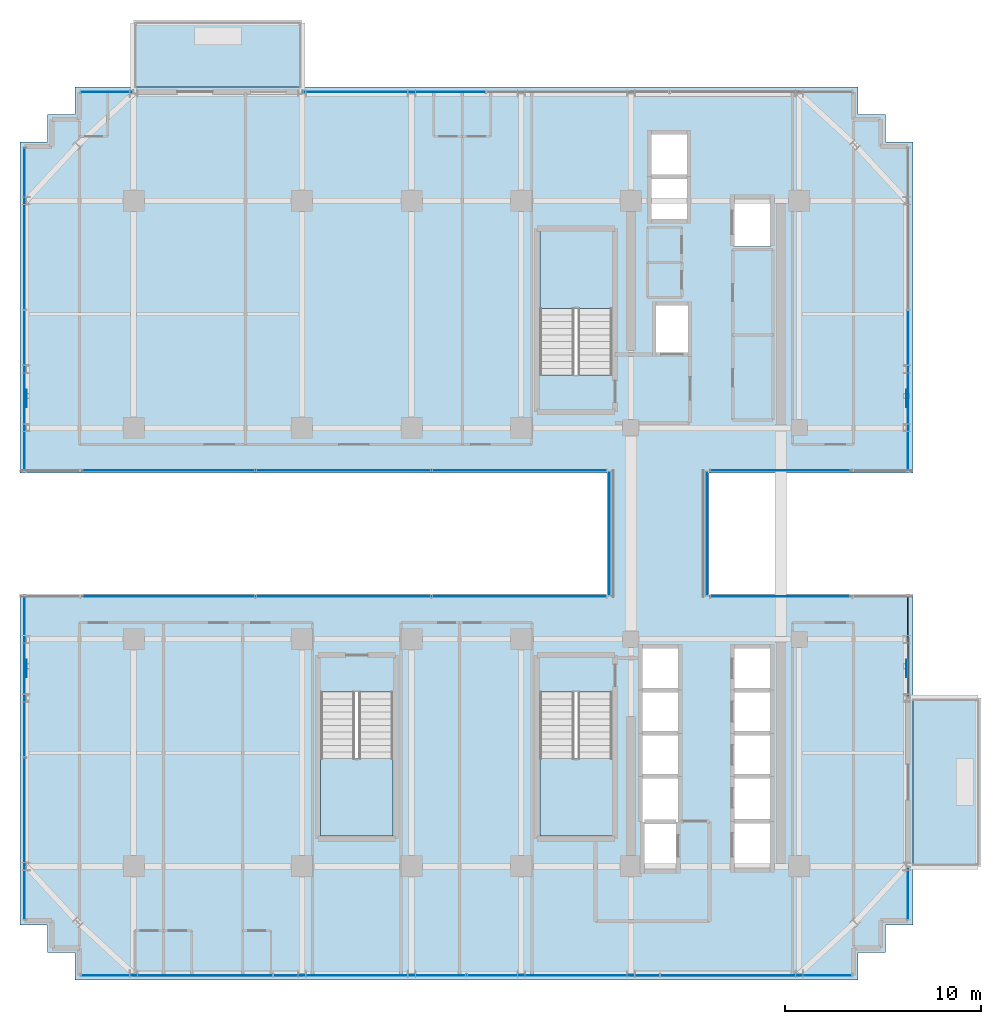
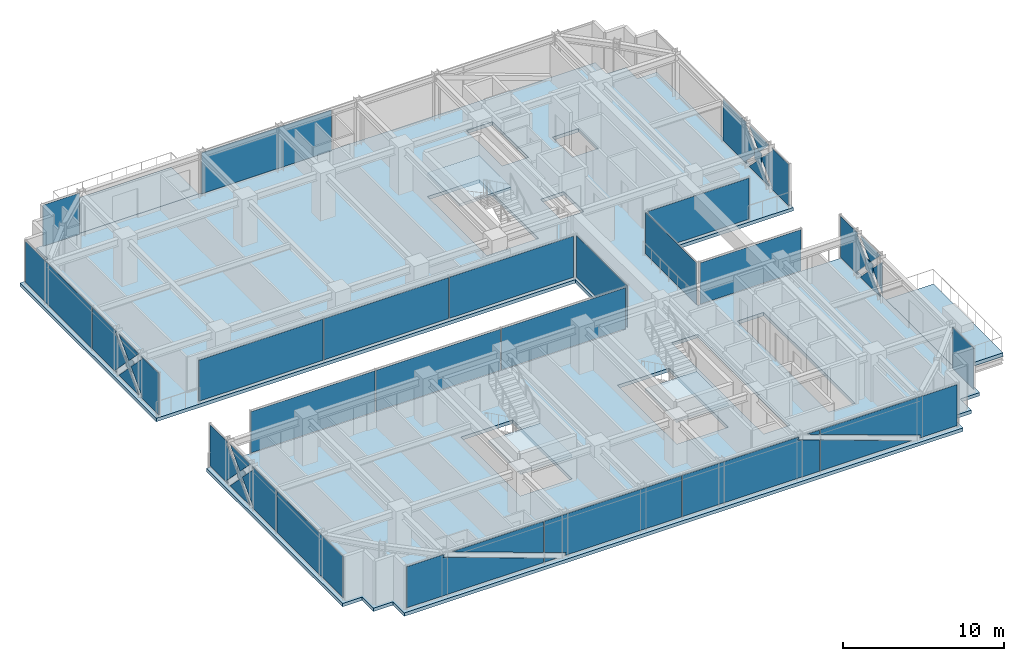
# One storey, part 28 of 36: 27 plates, 6 slabs, 17 elements without a shape of their own.
"""IFC4 building model written with IfcOpenShell, lengths in metres."""

from ifc_helpers import new_model, si_unit, direction, frame, origin, origin_2d, place, context, subcontext, project, spatial, polyline, rectangle, outline, extrude, source, transform, mapped, material, layer, layer_set, type_object, element, aggregate, save


model = new_model("IFC4")

# Units and contexts
model_context = context("Model", 3, precision=1e-05, world=origin(), true_north=direction((0.0, 1.0)))
body_context = subcontext(model_context, "Body", "Model", "MODEL_VIEW")
ifc_project = project(units=[si_unit("LENGTHUNIT", "METRE"), si_unit("AREAUNIT", "SQUARE_METRE"), si_unit("VOLUMEUNIT", "CUBIC_METRE"), si_unit("PLANEANGLEUNIT", "RADIAN"), si_unit("MASSUNIT", "GRAM", prefix="KILO")], contexts=[model_context])

# Site, building, storey
site_placement = place(None, origin())
site = spatial("IfcSite", under=ifc_project, at=site_placement, CompositionType="ELEMENT")
building_placement = place(site_placement, origin())
building = spatial("IfcBuilding", under=site, at=building_placement, Name="Nahalor Promenade Grand Hotel", CompositionType="ELEMENT")
storey_placement = place(building_placement, frame((0.0, 0.0, 174.550048828125)))
storey = spatial("IfcBuildingStorey", under=building, at=storey_placement, Name="L44", CompositionType="ELEMENT", Elevation=174.550048828125)

# Curtain wall, plates
ifc_material_1 = material(Name="Anodised Bronze Aluminium EN AW-6063 T6", Category="aluminium")
curtain_wall_type_1 = type_object("IfcCurtainWallType", Name="CW3 Elliptical-Void Collar Unitised Curtain Wall", PredefinedType="USERDEFINED", material=ifc_material_1)
curtain_wall_1_placement = place(storey_placement, origin())
curtain_wall_1 = element("IfcCurtainWall", 1, at=curtain_wall_1_placement, inside=storey, type_object=curtain_wall_type_1, Name="L44 Curtain Wall CW-L44-S-1", ObjectType="UNITISED_CURTAIN_WALL", PredefinedType="USERDEFINED")
ifc_material_2 = material(Name="Low-E Laminated Solar Glass", Category="glass")
ifc_layer_1 = layer(ifc_material_2, 0.030029296875)
ifc_layer_set_1 = layer_set([ifc_layer_1], Name="Low-E Laminated Solar Glass")
plate_type_1 = type_object("IfcPlateType", Name="CWP3 High-Wind Laminated Bronze IGU 30mm", PredefinedType="CURTAIN_PANEL", material=ifc_layer_set_1)
plate_1_placement = place(storey_placement, frame((-14.802490234375, -22.56005859375, 0.14013671875), z_axis=(0.0, 0.0, 1.0), x_axis=(1.0, 0.0, 0.0)))
plate_1 = element("IfcPlate", 2, at=plate_1_placement, type_object=plate_type_1, Name="CW-L44-S-1 Glazing Panel 0-0", PredefinedType="CURTAIN_PANEL", context=body_context, shape_type="SweptSolid", body=[
    extrude(outline(polyline([(-4.887451171875, 0.0), (4.887451171875, 0.0), (4.887451171875, 0.341796875), (-2.28857421875, 2.920166015625), (-2.220458984375, 3.110107421875), (-4.887451171875, 3.110107421875), (-4.887451171875, 0.0)])), frame((0.0, 0.01513671875, 0.0), z_axis=(0.0, -1.0, 0.0), x_axis=(1.0, 0.0, 0.0)), (0.0, 0.0, 1.0), 0.030029296875),
    extrude(outline(polyline([(4.887451171875, 0.766845703125), (4.887451171875, 3.110107421875), (-1.6337890625, 3.110107421875), (4.887451171875, 0.766845703125)])), frame((0.0, 0.01513671875, 0.0), z_axis=(0.0, -1.0, 0.0), x_axis=(1.0, 0.0, 0.0)), (0.0, 0.0, 1.0), 0.030029296875),
])
plate_2_placement = place(storey_placement, frame((-4.93994140625, -22.56005859375, 0.14013671875), z_axis=(0.0, 0.0, 1.0), x_axis=(1.0, 0.0, 0.0)))
plate_2 = element("IfcPlate", 3, at=plate_2_placement, type_object=plate_type_1, Name="CW-L44-S-1 Glazing Panel 1-0", PredefinedType="CURTAIN_PANEL", context=body_context, shape_type="SweptSolid", body=[
    extrude(outline(polyline([(4.905029296875, 3.110107421875), (-4.905029296875, 3.110107421875), (-4.905029296875, 0.74169921875), (-3.368896484375, 0.189697265625), (-3.43701171875, 0.0), (4.905029296875, 0.0), (4.905029296875, 3.110107421875)])), frame((0.0, 0.01513671875, 0.0), z_axis=(0.0, -1.0, 0.0), x_axis=(1.0, 0.0, 0.0)), (0.0, 0.0, 1.0), 0.030029296875),
    extrude(outline(polyline([(-4.905029296875, 0.316650390625), (-4.905029296875, 0.0), (-4.023681640625, 0.0), (-4.905029296875, 0.316650390625)])), frame((0.0, 0.01513671875, 0.0), z_axis=(0.0, -1.0, 0.0), x_axis=(1.0, 0.0, 0.0)), (0.0, 0.0, 1.0), 0.030029296875),
])
plate_3_placement = place(storey_placement, frame((4.93994140625, -22.56005859375, 0.14013671875), z_axis=(0.0, 0.0, 1.0), x_axis=(1.0, 0.0, 0.0)))
plate_3 = element("IfcPlate", 4, at=plate_3_placement, type_object=plate_type_1, Name="CW-L44-S-1 Glazing Panel 2-0", PredefinedType="CURTAIN_PANEL", context=body_context, shape_type="SweptSolid", body=[
    extrude(outline(polyline([(-4.905029296875, 0.0), (4.905029296875, 0.0), (4.905029296875, 2.368408203125), (3.368896484375, 2.920166015625), (3.43701171875, 3.110107421875), (-4.905029296875, 3.110107421875), (-4.905029296875, 0.0)])), frame((0.0, 0.01513671875, 0.0), z_axis=(0.0, -1.0, 0.0), x_axis=(1.0, 0.0, 0.0)), (0.0, 0.0, 1.0), 0.030029296875),
    extrude(outline(polyline([(4.905029296875, 2.793212890625), (4.905029296875, 3.110107421875), (4.023681640625, 3.110107421875), (4.905029296875, 2.793212890625)])), frame((0.0, 0.01513671875, 0.0), z_axis=(0.0, -1.0, 0.0), x_axis=(1.0, 0.0, 0.0)), (0.0, 0.0, 1.0), 0.030029296875),
])
plate_4_placement = place(storey_placement, frame((14.802490234375, -22.56005859375, 0.14013671875), z_axis=(0.0, 0.0, 1.0), x_axis=(1.0, 0.0, 0.0)))
plate_4 = element("IfcPlate", 5, at=plate_4_placement, type_object=plate_type_1, Name="CW-L44-S-1 Glazing Panel 3-0", PredefinedType="CURTAIN_PANEL", context=body_context, shape_type="SweptSolid", body=[
    extrude(outline(polyline([(4.887451171875, 3.110107421875), (-4.887451171875, 3.110107421875), (-4.887451171875, 2.76806640625), (2.28857421875, 0.189697265625), (2.220458984375, 0.0), (4.887451171875, 0.0), (4.887451171875, 3.110107421875)])), frame((0.0, 0.01513671875, 0.0), z_axis=(0.0, -1.0, 0.0), x_axis=(1.0, 0.0, 0.0)), (0.0, 0.0, 1.0), 0.030029296875),
    extrude(outline(polyline([(-4.887451171875, 2.343017578125), (-4.887451171875, 0.0), (1.6337890625, 0.0), (-4.887451171875, 2.343017578125)])), frame((0.0, 0.01513671875, 0.0), z_axis=(0.0, -1.0, 0.0), x_axis=(1.0, 0.0, 0.0)), (0.0, 0.0, 1.0), 0.030029296875),
])
aggregate(curtain_wall_1, [plate_1, plate_2, plate_3, plate_4])

# Curtain wall, plate
curtain_wall_2_placement = place(storey_placement, origin())
curtain_wall_2 = element("IfcCurtainWall", 6, at=curtain_wall_2_placement, inside=storey, type_object=curtain_wall_type_1, Name="L44 Curtain Wall CW-L44-W-1", ObjectType="UNITISED_CURTAIN_WALL", PredefinedType="USERDEFINED")
plate_5_placement = place(storey_placement, frame((-22.56005859375, -7.282470703125, 0.14013671875), z_axis=(0.0, 0.0, 1.0), x_axis=(0.0, 1.0, 0.0)))
plate_5 = element("IfcPlate", 7, at=plate_5_placement, type_object=plate_type_1, Name="CW-L44-W-1 Glazing Panel 1-0", PredefinedType="CURTAIN_PANEL", context=body_context, shape_type="SweptSolid", body=[
    extrude(outline(polyline([(-4.112548828125, 3.110107421875), (-4.112548828125, 0.0), (-1.14306640625, 0.0), (-1.2783203125, 0.13134765625), (0.103759765625, 1.554931640625), (-1.2783203125, 2.978515625), (-1.14306640625, 3.110107421875), (-4.112548828125, 3.110107421875)])), frame((0.0, 0.01513671875, 0.0), z_axis=(0.0, -1.0, 0.0), x_axis=(1.0, 0.0, 0.0)), (0.0, 0.0, 1.0), 0.030029296875),
    extrude(outline(polyline([(0.382568359375, 1.267822265625), (-0.848388671875, 0.0), (1.613525390625, 0.0), (0.382568359375, 1.267822265625)])), frame((0.0, 0.01513671875, 0.0), z_axis=(0.0, -1.0, 0.0), x_axis=(1.0, 0.0, 0.0)), (0.0, 0.0, 1.0), 0.030029296875),
    extrude(outline(polyline([(0.382568359375, 1.842041015625), (1.613525390625, 3.110107421875), (-0.848388671875, 3.110107421875), (0.382568359375, 1.842041015625)])), frame((0.0, 0.01513671875, 0.0), z_axis=(0.0, -1.0, 0.0), x_axis=(1.0, 0.0, 0.0)), (0.0, 0.0, 1.0), 0.030029296875),
    extrude(outline(polyline([(4.112548828125, 0.0), (4.112548828125, 3.110107421875), (1.908203125, 3.110107421875), (2.04345703125, 2.978515625), (0.661376953125, 1.554931640625), (2.04345703125, 0.13134765625), (1.908203125, 0.0), (4.112548828125, 0.0)])), frame((0.0, 0.01513671875, 0.0), z_axis=(0.0, -1.0, 0.0), x_axis=(1.0, 0.0, 0.0)), (0.0, 0.0, 1.0), 0.030029296875),
])

curtain_wall_3_placement = place(storey_placement, origin())
curtain_wall_3 = element("IfcCurtainWall", 8, at=curtain_wall_3_placement, inside=storey, type_object=curtain_wall_type_1, Name="L44 Curtain Wall CW-L44-W-2", ObjectType="UNITISED_CURTAIN_WALL", PredefinedType="USERDEFINED")
plate_6_placement = place(storey_placement, frame((-22.56005859375, 7.282470703125, 0.14013671875), z_axis=(0.0, 0.0, 1.0), x_axis=(0.0, 1.0, 0.0)))
plate_6 = element("IfcPlate", 9, at=plate_6_placement, type_object=plate_type_1, Name="CW-L44-W-2 Glazing Panel 0-0", PredefinedType="CURTAIN_PANEL", context=body_context, shape_type="SweptSolid", body=[
    extrude(outline(polyline([(-4.112548828125, 3.110107421875), (-4.112548828125, 0.0), (-1.908203125, 0.0), (-2.04345703125, 0.13134765625), (-0.661376953125, 1.554931640625), (-2.04345703125, 2.978515625), (-1.908203125, 3.110107421875), (-4.112548828125, 3.110107421875)])), frame((0.0, 0.01513671875, 0.0), z_axis=(0.0, -1.0, 0.0), x_axis=(1.0, 0.0, 0.0)), (0.0, 0.0, 1.0), 0.030029296875),
    extrude(outline(polyline([(-0.382568359375, 1.267822265625), (-1.613525390625, 0.0), (0.848388671875, 0.0), (-0.382568359375, 1.267822265625)])), frame((0.0, 0.01513671875, 0.0), z_axis=(0.0, -1.0, 0.0), x_axis=(1.0, 0.0, 0.0)), (0.0, 0.0, 1.0), 0.030029296875),
    extrude(outline(polyline([(-0.382568359375, 1.842041015625), (0.848388671875, 3.110107421875), (-1.613525390625, 3.110107421875), (-0.382568359375, 1.842041015625)])), frame((0.0, 0.01513671875, 0.0), z_axis=(0.0, -1.0, 0.0), x_axis=(1.0, 0.0, 0.0)), (0.0, 0.0, 1.0), 0.030029296875),
    extrude(outline(polyline([(4.112548828125, 0.0), (4.112548828125, 3.110107421875), (1.14306640625, 3.110107421875), (1.2783203125, 2.978515625), (-0.103759765625, 1.554931640625), (1.2783203125, 0.13134765625), (1.14306640625, 0.0), (4.112548828125, 0.0)])), frame((0.0, 0.01513671875, 0.0), z_axis=(0.0, -1.0, 0.0), x_axis=(1.0, 0.0, 0.0)), (0.0, 0.0, 1.0), 0.030029296875),
])

curtain_wall_4_placement = place(storey_placement, origin())
curtain_wall_4 = element("IfcCurtainWall", 10, at=curtain_wall_4_placement, inside=storey, type_object=curtain_wall_type_1, Name="L44 Curtain Wall CW-L44-E-3", ObjectType="UNITISED_CURTAIN_WALL", PredefinedType="USERDEFINED")
plate_7_placement = place(storey_placement, frame((22.56005859375, -5.75, 0.14013671875), z_axis=(0.0, 0.0, 1.0), x_axis=(0.0, 1.0, 0.0)))
plate_7 = element("IfcPlate", 11, at=plate_7_placement, type_object=plate_type_1, Name="CW-L44-E-3 Glazing Panel 0-0", PredefinedType="CURTAIN_PANEL", context=body_context, shape_type="SweptSolid", body=[
    extrude(outline(polyline([(-1.4287109375, 1.554931640625), (-2.580078125, 2.74072265625), (-2.580078125, 0.369140625), (-1.4287109375, 1.554931640625)])), frame((0.0, 0.01513671875, 0.0), z_axis=(0.0, -1.0, 0.0), x_axis=(1.0, 0.0, 0.0)), (0.0, 0.0, 1.0), 0.030029296875),
    extrude(outline(polyline([(-1.14990234375, 1.267822265625), (-2.380859375, 0.0), (0.0810546875, 0.0), (-1.14990234375, 1.267822265625)])), frame((0.0, 0.01513671875, 0.0), z_axis=(0.0, -1.0, 0.0), x_axis=(1.0, 0.0, 0.0)), (0.0, 0.0, 1.0), 0.030029296875),
    extrude(outline(polyline([(-1.14990234375, 1.842041015625), (0.0810546875, 3.110107421875), (-2.380859375, 3.110107421875), (-1.14990234375, 1.842041015625)])), frame((0.0, 0.01513671875, 0.0), z_axis=(0.0, -1.0, 0.0), x_axis=(1.0, 0.0, 0.0)), (0.0, 0.0, 1.0), 0.030029296875),
    extrude(outline(polyline([(2.580078125, 0.0), (2.580078125, 3.110107421875), (0.37548828125, 3.110107421875), (0.510986328125, 2.978515625), (-0.871337890625, 1.554931640625), (0.510986328125, 0.13134765625), (0.37548828125, 0.0), (2.580078125, 0.0)])), frame((0.0, 0.01513671875, 0.0), z_axis=(0.0, -1.0, 0.0), x_axis=(1.0, 0.0, 0.0)), (0.0, 0.0, 1.0), 0.030029296875),
])
aggregate(curtain_wall_4, [plate_7])

curtain_wall_5_placement = place(storey_placement, origin())
curtain_wall_5 = element("IfcCurtainWall", 12, at=curtain_wall_5_placement, inside=storey, type_object=curtain_wall_type_1, Name="L44 Curtain Wall CW-L44-E-4", ObjectType="UNITISED_CURTAIN_WALL", PredefinedType="USERDEFINED")
plate_8_placement = place(storey_placement, frame((22.56005859375, 7.282470703125, 0.14013671875), z_axis=(0.0, 0.0, 1.0), x_axis=(0.0, 1.0, 0.0)))
plate_8 = element("IfcPlate", 13, at=plate_8_placement, type_object=plate_type_1, Name="CW-L44-E-4 Glazing Panel 0-0", PredefinedType="CURTAIN_PANEL", context=body_context, shape_type="SweptSolid", body=[
    extrude(outline(polyline([(-4.112548828125, 3.110107421875), (-4.112548828125, 0.0), (-1.908203125, 0.0), (-2.04345703125, 0.13134765625), (-0.661376953125, 1.554931640625), (-2.04345703125, 2.978515625), (-1.908203125, 3.110107421875), (-4.112548828125, 3.110107421875)])), frame((0.0, 0.01513671875, 0.0), z_axis=(0.0, -1.0, 0.0), x_axis=(1.0, 0.0, 0.0)), (0.0, 0.0, 1.0), 0.030029296875),
    extrude(outline(polyline([(-0.382568359375, 1.267822265625), (-1.613525390625, 0.0), (0.848388671875, 0.0), (-0.382568359375, 1.267822265625)])), frame((0.0, 0.01513671875, 0.0), z_axis=(0.0, -1.0, 0.0), x_axis=(1.0, 0.0, 0.0)), (0.0, 0.0, 1.0), 0.030029296875),
    extrude(outline(polyline([(-0.382568359375, 1.842041015625), (0.848388671875, 3.110107421875), (-1.613525390625, 3.110107421875), (-0.382568359375, 1.842041015625)])), frame((0.0, 0.01513671875, 0.0), z_axis=(0.0, -1.0, 0.0), x_axis=(1.0, 0.0, 0.0)), (0.0, 0.0, 1.0), 0.030029296875),
    extrude(outline(polyline([(4.112548828125, 0.0), (4.112548828125, 3.110107421875), (1.14306640625, 3.110107421875), (1.2783203125, 2.978515625), (-0.103759765625, 1.554931640625), (1.2783203125, 0.13134765625), (1.14306640625, 0.0), (4.112548828125, 0.0)])), frame((0.0, 0.01513671875, 0.0), z_axis=(0.0, -1.0, 0.0), x_axis=(1.0, 0.0, 0.0)), (0.0, 0.0, 1.0), 0.030029296875),
])
aggregate(curtain_wall_5, [plate_8])

# Stair, slab
ifc_material_3 = material(Name="Concrete B-50 (C40/50)", Category="concrete")
stair_type_1 = type_object("IfcStairType", Name="Stair-ST1", PredefinedType="HALF_TURN_STAIR", material=ifc_material_3)
stair_1_placement = place(storey_placement, origin())
stair_1 = element("IfcStair", 14, at=stair_1_placement, inside=storey, type_object=stair_type_1, Name="L44 ST1", PredefinedType="HALF_TURN_STAIR")
ifc_layer_2 = layer(ifc_material_3, 0.199951171875)
ifc_layer_set_2 = layer_set([ifc_layer_2], Name="Concrete B-50 (C40/50)")
slab_type_1 = type_object("IfcSlabType", Name="Landing-ST1", PredefinedType="LANDING", material=ifc_layer_set_2)
slab_1_placement = place(storey_placement, frame((0.0, 0.0, 1.625)))
slab_1 = element("IfcSlab", 15, at=slab_1_placement, type_object=slab_type_1, Name="ST1 landing 1", PredefinedType="LANDING", context=body_context, shape_type="SweptSolid", body=[
    extrude(outline(polyline([(7.449951171875, 11.5), (7.449951171875, 15.449951171875), (3.75, 15.449951171875), (3.75, 11.5), (7.449951171875, 11.5)])), origin(), (0.0, 0.0, 1.0), 0.199951171875),
])
aggregate(stair_1, [slab_1])

stair_type_2 = type_object("IfcStairType", Name="Stair-ST2", PredefinedType="HALF_TURN_STAIR", material=ifc_material_3)
stair_2_placement = place(storey_placement, origin())
stair_2 = element("IfcStair", 16, at=stair_2_placement, inside=storey, type_object=stair_type_2, Name="L44 ST2", PredefinedType="HALF_TURN_STAIR")
ifc_layer_3 = layer(ifc_material_3, 0.2099609375)
ifc_layer_set_3 = layer_set([ifc_layer_3], Name="Concrete B-50 (C40/50)")
slab_type_2 = type_object("IfcSlabType", Name="Landing-ST2", PredefinedType="LANDING", material=ifc_layer_set_3)
slab_2_placement = place(storey_placement, frame((0.0, 0.0, 1.614990234375)))
slab_2 = element("IfcSlab", 17, at=slab_2_placement, type_object=slab_type_2, Name="ST2 landing 1", PredefinedType="LANDING", context=body_context, shape_type="SweptSolid", body=[
    extrude(outline(polyline([(3.75, -11.5), (3.75, -15.449951171875), (7.449951171875, -15.449951171875), (7.449951171875, -11.5), (3.75, -11.5)])), origin(), (0.0, 0.0, 1.0), 0.2099609375),
])
aggregate(stair_2, [slab_2])

stair_type_3 = type_object("IfcStairType", Name="Stair-ST3", PredefinedType="HALF_TURN_STAIR", material=ifc_material_3)
stair_3_placement = place(storey_placement, origin())
stair_3 = element("IfcStair", 18, at=stair_3_placement, inside=storey, type_object=stair_type_3, Name="L44 ST3", PredefinedType="HALF_TURN_STAIR")
ifc_layer_4 = layer(ifc_material_3, 0.219970703125)
ifc_layer_set_4 = layer_set([ifc_layer_4], Name="Concrete B-50 (C40/50)")
slab_type_3 = type_object("IfcSlabType", Name="Landing-ST3", PredefinedType="LANDING", material=ifc_layer_set_4)
slab_3_placement = place(storey_placement, frame((0.0, 0.0, 1.60498046875)))
slab_3 = element("IfcSlab", 19, at=slab_3_placement, type_object=slab_type_3, Name="ST3 landing 1", PredefinedType="LANDING", context=body_context, shape_type="SweptSolid", body=[
    extrude(outline(polyline([(-7.449951171875, -11.5), (-7.449951171875, -15.449951171875), (-3.75, -15.449951171875), (-3.75, -11.5), (-7.449951171875, -11.5)])), origin(), (0.0, 0.0, 1.0), 0.219970703125),
])
aggregate(stair_3, [slab_3])

# Slabs
ifc_layer_5 = layer(ifc_material_3, 0.280029296875)
ifc_layer_set_5 = layer_set([ifc_layer_5], Name="Concrete B-50 (C40/50)")
slab_type_4 = type_object("IfcSlabType", Name="Slab-Balcony-280", PredefinedType="FLOOR", material=ifc_layer_set_5)
slab_4_placement = place(storey_placement, frame((0.0, 0.0, -0.280029296875)))
element("IfcSlab", 20, at=slab_4_placement, inside=storey, type_object=slab_type_4, Name="L44 Cantilevered Planted Balcony 1", PredefinedType="FLOOR", context=body_context, shape_type="SweptSolid", body=[
    extrude(outline(polyline([(-17.0, 22.800048828125), (-8.39990234375, 22.800048828125), (-8.39990234375, 26.159912109375), (-17.0, 26.159912109375), (-17.0, 22.800048828125)])), origin(), (0.0, 0.0, 1.0), 0.280029296875),
])
slab_5_placement = place(storey_placement, frame((0.0, 0.0, -0.280029296875)))
element("IfcSlab", 21, at=slab_5_placement, inside=storey, type_object=slab_type_4, Name="L44 Cantilevered Planted Balcony 2", PredefinedType="FLOOR", context=body_context, shape_type="SweptSolid", body=[
    extrude(outline(polyline([(22.800048828125, -17.0), (26.2099609375, -17.0), (26.2099609375, -8.39990234375), (22.800048828125, -8.39990234375), (22.800048828125, -17.0)])), origin(), (0.0, 0.0, 1.0), 0.280029296875),
])
ifc_layer_6 = layer(ifc_material_3, 0.260009765625)
ifc_layer_set_6 = layer_set([ifc_layer_6], Name="Concrete B-50 (C40/50)")
slab_type_5 = type_object("IfcSlabType", Name="Slab-TowerZ3-260", PredefinedType="FLOOR", material=ifc_layer_set_6)
slab_6_placement = place(storey_placement, frame((0.0, 0.0, -0.260009765625)))
element("IfcSlab", 22, at=slab_6_placement, inside=storey, type_object=slab_type_5, Name="L44 Suspended Structural Floor Slab", PredefinedType="FLOOR", context=body_context, shape_type="SweptSolid", body=[
    extrude(outline(polyline([(-20.0, -22.800048828125), (20.0, -22.800048828125), (20.0, -21.39990234375), (21.39990234375, -21.39990234375), (21.39990234375, -20.0), (22.800048828125, -20.0), (22.800048828125, -3.10009765625), (12.39990234375, -3.10009765625), (12.39990234375, 3.10009765625), (22.800048828125, 3.10009765625), (22.800048828125, 20.0), (21.39990234375, 20.0), (21.39990234375, 21.39990234375), (20.0, 21.39990234375), (20.0, 22.800048828125), (-20.0, 22.800048828125), (-20.0, 21.39990234375), (-21.39990234375, 21.39990234375), (-21.39990234375, 20.0), (-22.800048828125, 20.0), (-22.800048828125, 3.10009765625), (7.199951171875, 3.10009765625), (7.199951171875, -3.10009765625), (-22.800048828125, -3.10009765625), (-22.800048828125, -20.0), (-21.39990234375, -20.0), (-21.39990234375, -21.39990234375), (-20.0, -21.39990234375), (-20.0, -22.800048828125)]), holes=[polyline([(3.75, 8.10009765625), (7.449951171875, 8.10009765625), (7.449951171875, 15.449951171875), (3.75, 15.449951171875), (3.75, 8.10009765625)]), polyline([(3.75, -15.449951171875), (7.449951171875, -15.449951171875), (7.449951171875, -8.10009765625), (3.75, -8.10009765625), (3.75, -15.449951171875)]), polyline([(-7.449951171875, -15.449951171875), (-3.75, -15.449951171875), (-3.75, -8.10009765625), (-7.449951171875, -8.10009765625), (-7.449951171875, -15.449951171875)]), polyline([(13.659912109375, -17.139892578125), (15.5400390625, -17.139892578125), (15.5400390625, -5.81005859375), (13.659912109375, -5.81005859375), (13.659912109375, -17.139892578125)]), polyline([(8.9599609375, -17.18994140625), (10.840087890625, -17.18994140625), (10.840087890625, -5.81005859375), (8.9599609375, -5.81005859375), (8.9599609375, -17.18994140625)]), polyline([(9.409912109375, 16.010009765625), (11.2900390625, 16.010009765625), (11.2900390625, 20.43994140625), (9.409912109375, 20.43994140625), (9.409912109375, 16.010009765625)]), polyline([(9.659912109375, 9.2099609375), (11.340087890625, 9.2099609375), (11.340087890625, 11.68994140625), (9.659912109375, 11.68994140625), (9.659912109375, 9.2099609375)]), polyline([(13.659912109375, 14.659912109375), (15.5400390625, 14.659912109375), (15.5400390625, 17.139892578125), (13.659912109375, 17.139892578125), (13.659912109375, 14.659912109375)])]), origin(), (0.0, 0.0, 1.0), 0.260009765625),
])

# Plates
ifc_material_4 = material(Name="Steel S355J2", Category="steel")
ifc_layer_7 = layer(ifc_material_4, 0.035888671875)
ifc_layer_set_7 = layer_set([ifc_layer_7], Name="Steel S355J2")
plate_type_2 = type_object("IfcPlateType", Name="Plate-CrossGusset-36", PredefinedType="USERDEFINED", material=ifc_layer_set_7)
shared_shape_1 = source(origin(), body_context, "Body", "SweptSolid", [
    extrude(rectangle(XDim=0.89990234375, YDim=0.035888671875, at=origin_2d()), origin(), (0.0, 0.0, 1.0), 0.89990234375),
])
for number, where, z_axis, x_axis, name in (
    (23, (-22.47998046875, -6.89990234375, 1.2451171875), (0.0, 0.0, 1.0), (0.0, 1.0, 0.0), "PL-L44-VXX-W0"),
    (24, (-22.47998046875, 6.89990234375, 1.2451171875), (0.0, 0.0, 1.0), (0.0, 1.0, 0.0), "PL-L44-VXX-W1"),
    (25, (22.47998046875, -6.89990234375, 1.2451171875), (0.0, 0.0, 1.0), (0.0, 1.0, 0.0), "PL-L44-VXX-E0"),
    (26, (22.47998046875, 6.89990234375, 1.2451171875), (0.0, 0.0, 1.0), (0.0, 1.0, 0.0), "PL-L44-VXX-E1"),
):
    element("IfcPlate", number, at=place(storey_placement, frame(where, z_axis=z_axis, x_axis=x_axis)), inside=storey, type_object=plate_type_2, Name=name, ObjectType="GUSSET_PLATE", PredefinedType="USERDEFINED", context=body_context, shape_type="MappedRepresentation", body=[
        mapped(shared_shape_1, transform((0.0, 0.0, 0.0), scale=1.0)),
    ])

# Curtain wall, plate
curtain_wall_6_placement = place(storey_placement, origin())
curtain_wall_6 = element("IfcCurtainWall", 27, at=curtain_wall_6_placement, inside=storey, type_object=curtain_wall_type_1, Name="L44 Curtain Wall CW-L44-N-1", ObjectType="UNITISED_CURTAIN_WALL", PredefinedType="USERDEFINED")
shared_shape_2 = source(origin(), body_context, "Body", "SweptSolid", [
    extrude(rectangle(XDim=2.6201171875, YDim=0.030029296875, at=origin_2d()), origin(), (0.0, 0.0, 1.0), 3.110107421875),
])
plate_9_placement = place(storey_placement, frame((-18.3798828125, 22.56005859375, 0.14013671875), z_axis=(0.0, 0.0, 1.0), x_axis=(1.0, 0.0, 0.0)))
plate_9 = element("IfcPlate", 28, at=plate_9_placement, type_object=plate_type_1, Name="CW-L44-N-1 Glazing Panel 0-0", PredefinedType="CURTAIN_PANEL", context=body_context, shape_type="MappedRepresentation", body=[
    mapped(shared_shape_2, transform((0.0, 0.0, 0.0), scale=1.0)),
])
aggregate(curtain_wall_6, [plate_9])

curtain_wall_7_placement = place(storey_placement, origin())
curtain_wall_7 = element("IfcCurtainWall", 29, at=curtain_wall_7_placement, inside=storey, type_object=curtain_wall_type_1, Name="L44 Curtain Wall CW-L44-E-1", ObjectType="UNITISED_CURTAIN_WALL", PredefinedType="USERDEFINED")
plate_10_placement = place(storey_placement, frame((22.56005859375, -18.3798828125, 0.14013671875), z_axis=(0.0, 0.0, 1.0), x_axis=(0.0, 1.0, 0.0)))
plate_10 = element("IfcPlate", 30, at=plate_10_placement, type_object=plate_type_1, Name="CW-L44-E-1 Glazing Panel 0-0", PredefinedType="CURTAIN_PANEL", context=body_context, shape_type="MappedRepresentation", body=[
    mapped(shared_shape_2, transform((0.0, 0.0, 0.0), scale=1.0)),
])
aggregate(curtain_wall_7, [plate_10])

# Curtain wall, plates
curtain_wall_8_placement = place(storey_placement, origin())
curtain_wall_8 = element("IfcCurtainWall", 31, at=curtain_wall_8_placement, inside=storey, type_object=curtain_wall_type_1, Name="L44 Curtain Wall CW-L44-VOID-WS1", ObjectType="UNITISED_CURTAIN_WALL", PredefinedType="USERDEFINED")
shared_shape_3 = source(origin(), body_context, "Body", "SweptSolid", [
    extrude(rectangle(XDim=8.881591796875, YDim=0.030029296875, at=origin_2d()), origin(), (0.0, 0.0, 1.0), 3.110107421875),
])
plate_11_placement = place(storey_placement, frame((-15.249267578125, -3.219970703125, 0.14013671875), z_axis=(0.0, 0.0, 1.0), x_axis=(1.0, 0.0, 0.0)))
plate_11 = element("IfcPlate", 32, at=plate_11_placement, type_object=plate_type_1, Name="CW-L44-VOID-WS1 Glazing Panel 0-0", PredefinedType="CURTAIN_PANEL", context=body_context, shape_type="MappedRepresentation", body=[
    mapped(shared_shape_3, transform((0.0, 0.0, 0.0), scale=1.0)),
])
plate_12_placement = place(storey_placement, frame((2.689208984375, -3.219970703125, 0.14013671875), z_axis=(0.0, 0.0, 1.0), x_axis=(1.0, 0.0, 0.0)))
plate_12 = element("IfcPlate", 33, at=plate_12_placement, type_object=plate_type_1, Name="CW-L44-VOID-WS1 Glazing Panel 2-0", PredefinedType="CURTAIN_PANEL", context=body_context, shape_type="MappedRepresentation", body=[
    mapped(shared_shape_3, transform((0.0, 0.0, 0.0), scale=1.0)),
])

curtain_wall_9_placement = place(storey_placement, origin())
curtain_wall_9 = element("IfcCurtainWall", 34, at=curtain_wall_9_placement, inside=storey, type_object=curtain_wall_type_1, Name="L44 Curtain Wall CW-L44-VOID-WN1", ObjectType="UNITISED_CURTAIN_WALL", PredefinedType="USERDEFINED")
plate_13_placement = place(storey_placement, frame((-15.249267578125, 3.219970703125, 0.14013671875), z_axis=(0.0, 0.0, 1.0), x_axis=(1.0, 0.0, 0.0)))
plate_13 = element("IfcPlate", 35, at=plate_13_placement, type_object=plate_type_1, Name="CW-L44-VOID-WN1 Glazing Panel 0-0", PredefinedType="CURTAIN_PANEL", context=body_context, shape_type="MappedRepresentation", body=[
    mapped(shared_shape_3, transform((0.0, 0.0, 0.0), scale=1.0)),
])
plate_14_placement = place(storey_placement, frame((2.689208984375, 3.219970703125, 0.14013671875), z_axis=(0.0, 0.0, 1.0), x_axis=(1.0, 0.0, 0.0)))
plate_14 = element("IfcPlate", 36, at=plate_14_placement, type_object=plate_type_1, Name="CW-L44-VOID-WN1 Glazing Panel 2-0", PredefinedType="CURTAIN_PANEL", context=body_context, shape_type="MappedRepresentation", body=[
    mapped(shared_shape_3, transform((0.0, 0.0, 0.0), scale=1.0)),
])

# Plate
shared_shape_4 = source(origin(), body_context, "Body", "SweptSolid", [
    extrude(rectangle(XDim=8.916748046875, YDim=0.030029296875, at=origin_2d()), origin(), (0.0, 0.0, 1.0), 3.110107421875),
])
plate_15_placement = place(storey_placement, frame((-6.280029296875, -3.219970703125, 0.14013671875), z_axis=(0.0, 0.0, 1.0), x_axis=(1.0, 0.0, 0.0)))
plate_15 = element("IfcPlate", 37, at=plate_15_placement, type_object=plate_type_1, Name="CW-L44-VOID-WS1 Glazing Panel 1-0", PredefinedType="CURTAIN_PANEL", context=body_context, shape_type="MappedRepresentation", body=[
    mapped(shared_shape_4, transform((0.0, 0.0, 0.0), scale=1.0)),
])

aggregate(curtain_wall_8, [plate_11, plate_15, plate_12])

plate_16_placement = place(storey_placement, frame((-6.280029296875, 3.219970703125, 0.14013671875), z_axis=(0.0, 0.0, 1.0), x_axis=(1.0, 0.0, 0.0)))
plate_16 = element("IfcPlate", 38, at=plate_16_placement, type_object=plate_type_1, Name="CW-L44-VOID-WN1 Glazing Panel 1-0", PredefinedType="CURTAIN_PANEL", context=body_context, shape_type="MappedRepresentation", body=[
    mapped(shared_shape_4, transform((0.0, 0.0, 0.0), scale=1.0)),
])

aggregate(curtain_wall_9, [plate_13, plate_16, plate_14])

# Curtain wall, plate
curtain_wall_10_placement = place(storey_placement, origin())
curtain_wall_10 = element("IfcCurtainWall", 39, at=curtain_wall_10_placement, inside=storey, type_object=curtain_wall_type_1, Name="L44 Curtain Wall CW-L44-VOID-ES1", ObjectType="UNITISED_CURTAIN_WALL", PredefinedType="USERDEFINED")
shared_shape_5 = source(origin(), body_context, "Body", "SweptSolid", [
    extrude(rectangle(XDim=7.219970703125, YDim=0.030029296875, at=origin_2d()), origin(), (0.0, 0.0, 1.0), 3.110107421875),
])
plate_17_placement = place(storey_placement, frame((16.080078125, -3.219970703125, 0.14013671875), z_axis=(0.0, 0.0, 1.0), x_axis=(1.0, 0.0, 0.0)))
plate_17 = element("IfcPlate", 40, at=plate_17_placement, type_object=plate_type_1, Name="CW-L44-VOID-ES1 Glazing Panel 0-0", PredefinedType="CURTAIN_PANEL", context=body_context, shape_type="MappedRepresentation", body=[
    mapped(shared_shape_5, transform((0.0, 0.0, 0.0), scale=1.0)),
])
aggregate(curtain_wall_10, [plate_17])

curtain_wall_11_placement = place(storey_placement, origin())
curtain_wall_11 = element("IfcCurtainWall", 41, at=curtain_wall_11_placement, inside=storey, type_object=curtain_wall_type_1, Name="L44 Curtain Wall CW-L44-VOID-EN1", ObjectType="UNITISED_CURTAIN_WALL", PredefinedType="USERDEFINED")
plate_18_placement = place(storey_placement, frame((16.080078125, 3.219970703125, 0.14013671875), z_axis=(0.0, 0.0, 1.0), x_axis=(1.0, 0.0, 0.0)))
plate_18 = element("IfcPlate", 42, at=plate_18_placement, type_object=plate_type_1, Name="CW-L44-VOID-EN1 Glazing Panel 0-0", PredefinedType="CURTAIN_PANEL", context=body_context, shape_type="MappedRepresentation", body=[
    mapped(shared_shape_5, transform((0.0, 0.0, 0.0), scale=1.0)),
])
aggregate(curtain_wall_11, [plate_18])

# Plate
shared_shape_6 = source(origin(), body_context, "Body", "SweptSolid", [
    extrude(rectangle(XDim=8.22509765625, YDim=0.030029296875, at=origin_2d()), origin(), (0.0, 0.0, 1.0), 3.110107421875),
])
plate_19_placement = place(storey_placement, frame((-22.56005859375, -15.577392578125, 0.14013671875), z_axis=(0.0, 0.0, 1.0), x_axis=(0.0, 1.0, 0.0)))
plate_19 = element("IfcPlate", 43, at=plate_19_placement, type_object=plate_type_1, Name="CW-L44-W-1 Glazing Panel 0-0", PredefinedType="CURTAIN_PANEL", context=body_context, shape_type="MappedRepresentation", body=[
    mapped(shared_shape_6, transform((0.0, 0.0, 0.0), scale=1.0)),
])

aggregate(curtain_wall_2, [plate_19, plate_5])

plate_20_placement = place(storey_placement, frame((-22.56005859375, 15.577392578125, 0.14013671875), z_axis=(0.0, 0.0, 1.0), x_axis=(0.0, 1.0, 0.0)))
plate_20 = element("IfcPlate", 44, at=plate_20_placement, type_object=plate_type_1, Name="CW-L44-W-2 Glazing Panel 1-0", PredefinedType="CURTAIN_PANEL", context=body_context, shape_type="MappedRepresentation", body=[
    mapped(shared_shape_6, transform((0.0, 0.0, 0.0), scale=1.0)),
])

aggregate(curtain_wall_3, [plate_6, plate_20])

# Curtain wall, plate
curtain_wall_type_2 = type_object("IfcCurtainWallType", Name="CW4 Low-Iron Sky-Gallery Bridge Curtain Wall", PredefinedType="USERDEFINED", material=ifc_material_1)
curtain_wall_12_placement = place(storey_placement, origin())
curtain_wall_12 = element("IfcCurtainWall", 45, at=curtain_wall_12_placement, inside=storey, type_object=curtain_wall_type_2, Name="L44 Curtain Wall CW-L44-BRG-W", ObjectType="UNITISED_CURTAIN_WALL", PredefinedType="USERDEFINED")
ifc_layer_8 = layer(ifc_material_2, 0.02587890625)
ifc_layer_set_8 = layer_set([ifc_layer_8], Name="Low-E Laminated Solar Glass")
plate_type_3 = type_object("IfcPlateType", Name="CWP4 Ultra-Clear Low-Iron Bridge IGU 26mm", PredefinedType="CURTAIN_PANEL", material=ifc_layer_set_8)
shared_shape_7 = source(origin(), body_context, "Body", "SweptSolid", [
    extrude(rectangle(XDim=6.320068359375, YDim=0.02587890625, at=origin_2d()), origin(), (0.0, 0.0, 1.0), 3.14990234375),
])
plate_21_placement = place(storey_placement, frame((7.320068359375, 0.0, 0.1201171875), z_axis=(0.0, 0.0, 1.0), x_axis=(0.0, 1.0, 0.0)))
plate_21 = element("IfcPlate", 46, at=plate_21_placement, type_object=plate_type_3, Name="CW-L44-BRG-W Glazing Panel 0-0", PredefinedType="CURTAIN_PANEL", context=body_context, shape_type="MappedRepresentation", body=[
    mapped(shared_shape_7, transform((0.0, 0.0, 0.0), scale=1.0)),
])
aggregate(curtain_wall_12, [plate_21])

curtain_wall_13_placement = place(storey_placement, origin())
curtain_wall_13 = element("IfcCurtainWall", 47, at=curtain_wall_13_placement, inside=storey, type_object=curtain_wall_type_2, Name="L44 Curtain Wall CW-L44-BRG-E", ObjectType="UNITISED_CURTAIN_WALL", PredefinedType="USERDEFINED")
plate_22_placement = place(storey_placement, frame((12.280029296875, 0.0, 0.1201171875), z_axis=(0.0, 0.0, 1.0), x_axis=(0.0, 1.0, 0.0)))
plate_22 = element("IfcPlate", 48, at=plate_22_placement, type_object=plate_type_3, Name="CW-L44-BRG-E Glazing Panel 0-0", PredefinedType="CURTAIN_PANEL", context=body_context, shape_type="MappedRepresentation", body=[
    mapped(shared_shape_7, transform((0.0, 0.0, 0.0), scale=1.0)),
])
aggregate(curtain_wall_13, [plate_22])

curtain_wall_14_placement = place(storey_placement, origin())
curtain_wall_14 = element("IfcCurtainWall", 49, at=curtain_wall_14_placement, inside=storey, type_object=curtain_wall_type_1, Name="L44 Curtain Wall CW-L44-N-3", ObjectType="UNITISED_CURTAIN_WALL", PredefinedType="USERDEFINED")
shared_shape_8 = source(origin(), body_context, "Body", "SweptSolid", [
    extrude(rectangle(XDim=9.28173828125, YDim=0.030029296875, at=origin_2d()), origin(), (0.0, 0.0, 1.0), 3.110107421875),
])
plate_23_placement = place(storey_placement, frame((-3.689208984375, 22.56005859375, 0.14013671875), z_axis=(0.0, 0.0, 1.0), x_axis=(1.0, 0.0, 0.0)))
plate_23 = element("IfcPlate", 50, at=plate_23_placement, type_object=plate_type_1, Name="CW-L44-N-3 Glazing Panel 0-0", PredefinedType="CURTAIN_PANEL", context=body_context, shape_type="MappedRepresentation", body=[
    mapped(shared_shape_8, transform((0.0, 0.0, 0.0), scale=1.0)),
])
aggregate(curtain_wall_14, [plate_23])

save(model, "model.ifc")
